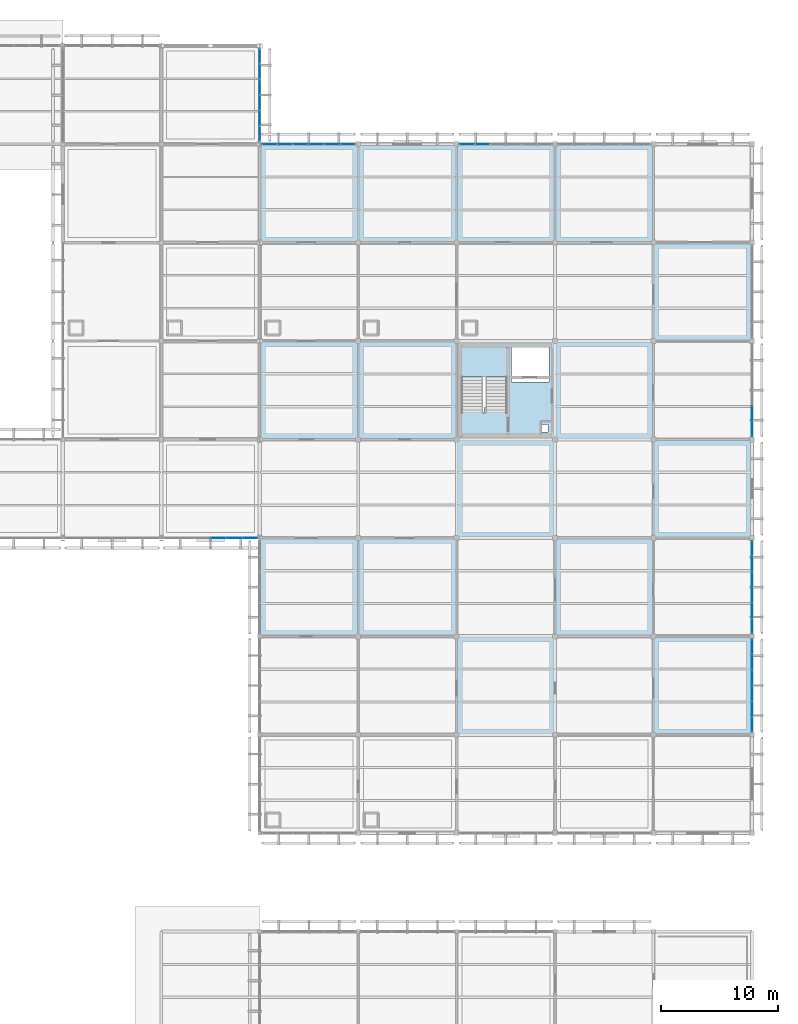
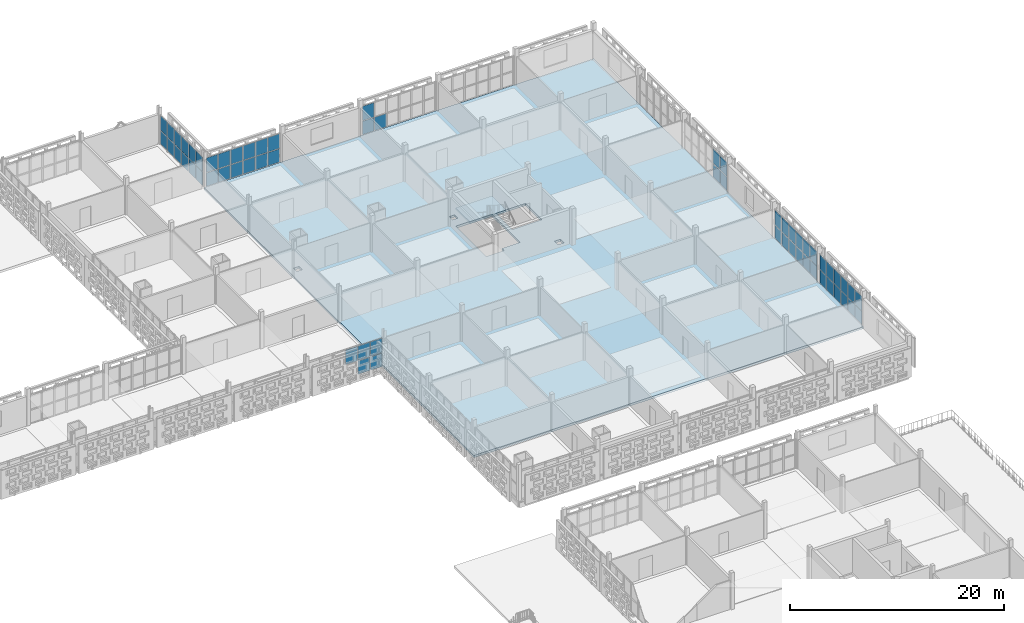
# One storey, part 92 of 166: 60 plates, 2 slabs, 8 elements without a shape of their own.
"""IFC4 building model written with IfcOpenShell, lengths in metres."""

import ifcopenshell
import ifcopenshell.guid

model = None  # the IFC model being written
_history = None  # IfcOwnerHistory: only IFC2X3 demands one
_inside = {}  # id of a spatial element -> (the spatial element, [elements in it])
_under = {}  # id of a project, library or spatial element -> (it, [spatial elements below it])
_declared = {}  # id of a project -> (the project, [libraries it declares])
_typed = {}  # id of a type object -> (the type object, [elements of that type])
_made_of = {}  # id of a material, layer set ... -> (it, [elements and type objects made of it])


def new_model(schema):
    """Start an empty IFC model of exactly this schema.

    Asked for "IFC4X3", IfcOpenShell would pick the latest addendum, in which some entities
    have other attributes; the version numbers below select the first issue.
    IFC2X3 requires an IfcOwnerHistory on every rooted entity: one is made here for all.
    """
    global model, _history
    if schema == "IFC4X3":
        model = ifcopenshell.file(schema_version=(4, 3, 0, 0))
    else:
        model = ifcopenshell.file(schema=schema)
    _inside.clear()
    _under.clear()
    _declared.clear()
    _typed.clear()
    _made_of.clear()
    _history = None
    if model.schema == "IFC2X3":
        org = make("IfcOrganization", Name="unknown")
        user = make(
            "IfcPersonAndOrganization",
            ThePerson=make("IfcPerson", FamilyName="unknown"),
            TheOrganization=org,
        )
        app = make(
            "IfcApplication",
            ApplicationDeveloper=org,
            Version="unknown",
            ApplicationFullName="unknown",
            ApplicationIdentifier="unknown",
        )
        _history = make(
            "IfcOwnerHistory",
            OwningUser=user,
            OwningApplication=app,
            ChangeAction="ADDED",
            CreationDate=0,
        )
    return model


def make(cls, **values):
    """One entity of the class cls with the attributes given. An attribute that is None is left unset."""
    return model.create_entity(
        cls, **{name: value for name, value in values.items() if value is not None}
    )


def rooted(cls, **values):
    """An entity with a GlobalId (a new one), such as an element, a storey or a relation."""
    return make(cls, GlobalId=ifcopenshell.guid.new(), OwnerHistory=_history, **values)


def si_unit(unit_type, name, prefix=None):
    """IfcSIUnit, for example si_unit("LENGTHUNIT", "METRE", prefix="MILLI")."""
    return make("IfcSIUnit", UnitType=unit_type, Prefix=prefix, Name=name)


def assignment(units):
    """IfcUnitAssignment: the units of a project."""
    return None if units is None else make("IfcUnitAssignment", Units=units)


def point(xyz):
    """IfcCartesianPoint."""
    return None if xyz is None else make("IfcCartesianPoint", Coordinates=xyz)


def direction(xyz):
    """IfcDirection."""
    return None if xyz is None else make("IfcDirection", DirectionRatios=xyz)


def frame(location, z_axis=None, x_axis=None):
    """IfcAxis2Placement3D, a coordinate frame: its origin and axes. An axis left out is left unset."""
    return make(
        "IfcAxis2Placement3D",
        Location=point(location),
        Axis=direction(z_axis),
        RefDirection=direction(x_axis),
    )


def frame_2d(location, x_axis=None):
    """IfcAxis2Placement2D, a coordinate frame in the plane: its origin and x axis."""
    return make(
        "IfcAxis2Placement2D", Location=point(location), RefDirection=direction(x_axis)
    )


def origin():
    """The frame at (0, 0, 0) with its axes left unset."""
    return frame((0.0, 0.0, 0.0))


def origin_2d():
    """The frame at (0, 0) in the plane with its x axis left unset."""
    return frame_2d((0.0, 0.0))


def place(relative_to, where):
    """IfcLocalPlacement: puts the frame where relative to a parent placement (None: the world)."""
    return make(
        "IfcLocalPlacement", PlacementRelTo=relative_to, RelativePlacement=where
    )


def context(
    kind, dimensions, precision=None, world=None, true_north=None, identifier=None
):
    """IfcGeometricRepresentationContext, for example the 3D "Model" context."""
    return make(
        "IfcGeometricRepresentationContext",
        ContextIdentifier=identifier,
        ContextType=kind,
        CoordinateSpaceDimension=dimensions,
        Precision=precision,
        WorldCoordinateSystem=world,
        TrueNorth=true_north,
    )


def subcontext(parent, identifier, kind, view, scale=None):
    """IfcGeometricRepresentationSubContext, for example "Body" below "Model"."""
    return make(
        "IfcGeometricRepresentationSubContext",
        ContextIdentifier=identifier,
        ContextType=kind,
        ParentContext=parent,
        TargetScale=scale,
        TargetView=view,
    )


def project(units=None, contexts=None):
    """IfcProject with its units and contexts."""
    return rooted(
        "IfcProject",
        Name="project",
        RepresentationContexts=contexts,
        UnitsInContext=assignment(units),
    )


def spatial(cls, under=None, at=None, **own):
    """A site, building, storey or space (cls), placed at a placement, below another one or the project."""
    s = rooted(cls, ObjectPlacement=at, **own)
    if under is not None:
        _under.setdefault(under.id(), (under, []))[1].append(s)
    return s


def polyline(points):
    """IfcPolyline through the points."""
    return make("IfcPolyline", Points=[point(p) for p in points])


def profile(cls, at=None, kind="AREA", **sizes):
    """A parametric profile (cls). Its sizes go by their IFC names, for example OverallWidth=200.0."""
    return make(cls, ProfileType=kind, Position=at, **sizes)


def rectangle(**sizes):
    """IfcRectangleProfileDef."""
    return profile("IfcRectangleProfileDef", **sizes)


def outline(outer, holes=None, kind="AREA"):
    """IfcArbitraryClosedProfileDef: a profile drawn as a closed curve; with holes, ...WithVoids."""
    if holes is None:
        return make("IfcArbitraryClosedProfileDef", ProfileType=kind, OuterCurve=outer)
    return make(
        "IfcArbitraryProfileDefWithVoids",
        ProfileType=kind,
        OuterCurve=outer,
        InnerCurves=holes,
    )


def extrude(swept, where, along, depth):
    """IfcExtrudedAreaSolid: the profile swept, set in the frame where, extruded along a direction by depth."""
    return make(
        "IfcExtrudedAreaSolid",
        SweptArea=swept,
        Position=where,
        ExtrudedDirection=direction(along),
        Depth=depth,
    )


def shape(context_of_items, identifier, shape_type, items):
    """IfcShapeRepresentation: the items that make up one representation, for example the "Body"."""
    return make(
        "IfcShapeRepresentation",
        ContextOfItems=context_of_items,
        RepresentationIdentifier=identifier,
        RepresentationType=shape_type,
        Items=items,
    )


def material(Name=None, Category=None):
    """IfcMaterial."""
    return make("IfcMaterial", Name=Name, Category=Category)


def layer(
    of_material, thickness, ventilated=None, Name=None, Category=None, Priority=None
):
    """IfcMaterialLayer: one layer of a wall or slab, of a material (None: an air gap)."""
    return make(
        "IfcMaterialLayer",
        Material=of_material,
        LayerThickness=thickness,
        IsVentilated=ventilated,
        Name=Name,
        Category=Category,
        Priority=Priority,
    )


def layer_set(layers, Name=None):
    """IfcMaterialLayerSet."""
    return make("IfcMaterialLayerSet", MaterialLayers=layers, LayerSetName=Name)


def made_of(thing, what):
    """Note that an element or type object is made of a material, layer set ...; save() writes the relation."""
    if what is not None:
        _made_of.setdefault(what.id(), (what, []))[1].append(thing)
    return thing


def type_object(cls, material=None, **own):
    """A type object (cls), such as IfcWallType, which elements share."""
    return made_of(rooted(cls, **own), material)


def element(
    cls,
    number,
    at=None,
    inside=None,
    cuts=None,
    type_object=None,
    material=None,
    context=None,
    identifier="Body",
    shape_type=None,
    held_by="IfcProductDefinitionShape",
    body=None,
    shapes=None,
    **own,
):
    """One element of the class cls, such as IfcWall. Its Tag is "e" and its number.

    at: its placement. inside: the storey or other place that contains it. cuts: it is an
    opening in that element (IfcRelVoidsElement). A single representation is given by context,
    identifier, shape_type and body (its items); several are given by shapes. held_by: the class
    of the entity that holds the representations. save() writes the other relations.
    """
    e = rooted(cls, Tag="e%d" % number, ObjectPlacement=at, **own)
    if body is not None:
        shapes = [shape(context, identifier, shape_type, body)]
    if shapes is not None:
        e.Representation = make(held_by, Representations=shapes)
    if inside is not None:
        _inside.setdefault(inside.id(), (inside, []))[1].append(e)
    if cuts is not None:
        rooted(
            "IfcRelVoidsElement", RelatingBuildingElement=cuts, RelatedOpeningElement=e
        )
    if type_object is not None:
        _typed.setdefault(type_object.id(), (type_object, []))[1].append(e)
    return made_of(e, material)


def aggregate(whole, parts):
    """IfcRelAggregates: a whole, such as a stair, and the parts it consists of."""
    return rooted("IfcRelAggregates", RelatingObject=whole, RelatedObjects=parts)


def save(model, path):
    """Write the relations noted so far, then the file.

    IfcRelAggregates (storeys below a building ...), IfcRelContainedInSpatialStructure (elements
    in a storey), IfcRelDefinesByType, IfcRelAssociatesMaterial and IfcRelDeclares: one each for
    every whole, place, type object, material and project.
    """
    for whole, parts in _under.values():
        aggregate(whole, parts)
    for where, things in _inside.values():
        rooted(
            "IfcRelContainedInSpatialStructure",
            RelatedElements=things,
            RelatingStructure=where,
        )
    for kind, things in _typed.values():
        rooted("IfcRelDefinesByType", RelatedObjects=things, RelatingType=kind)
    for what, things in _made_of.values():
        rooted("IfcRelAssociatesMaterial", RelatedObjects=things, RelatingMaterial=what)
    for by, libraries in _declared.values():
        rooted("IfcRelDeclares", RelatingContext=by, RelatedDefinitions=libraries)
    model.write(path)


model = new_model("IFC4")

# Units and contexts
model_context = context("Model", 3, precision=1e-05, world=origin(), true_north=direction((0.0, 1.0)))
body_context = subcontext(model_context, "Body", "Model", "MODEL_VIEW")
ifc_project = project(units=[si_unit("LENGTHUNIT", "METRE"), si_unit("AREAUNIT", "SQUARE_METRE"), si_unit("VOLUMEUNIT", "CUBIC_METRE"), si_unit("PLANEANGLEUNIT", "RADIAN"), si_unit("MASSUNIT", "GRAM", prefix="KILO")], contexts=[model_context])

# Site, building, storey
site_placement = place(None, origin())
site = spatial("IfcSite", under=ifc_project, at=site_placement, CompositionType="ELEMENT")
building_placement = place(site_placement, origin())
building = spatial("IfcBuilding", under=site, at=building_placement, Name="Varnapada Polytechnic", CompositionType="ELEMENT")
storey_placement = place(building_placement, frame((0.0, 0.0, 9.60009765625)))
storey = spatial("IfcBuildingStorey", under=building, at=storey_placement, Name="L02", CompositionType="ELEMENT", Elevation=9.60009765625)

# Curtain wall, plates
ifc_material_1 = material(Name="Double low-E laminated glass", Category="glass")
ifc_layer_1 = layer(ifc_material_1, 0.159912109375)
ifc_layer_set_1 = layer_set([ifc_layer_1], Name="Double low-E laminated glass")
curtain_wall_type_1 = type_object("IfcCurtainWallType", Name="Curtain Wall CW-01", PredefinedType="NOTDEFINED", material=ifc_layer_set_1)
curtain_wall_1_placement = place(storey_placement, origin())
curtain_wall_1 = element("IfcCurtainWall", 1, at=curtain_wall_1_placement, inside=storey, type_object=curtain_wall_type_1, Name="L02 unitised curtain wall CW-01 (180)", PredefinedType="NOTDEFINED")
ifc_layer_2 = layer(ifc_material_1, 0.028076171875)
ifc_layer_set_2 = layer_set([ifc_layer_2], Name="Double low-E laminated glass")
plate_type_1 = type_object("IfcPlateType", Name="Curtain Panel PNL-01", PredefinedType="CURTAIN_PANEL", material=ifc_layer_set_2)
plate_1_placement = place(storey_placement, frame((133.56005859375, 84.0, 0.06005859375), z_axis=(0.0, 0.0, 1.0), x_axis=(-1.0, 0.0, 0.0)))
plate_1 = element("IfcPlate", 2, at=plate_1_placement, type_object=plate_type_1, Name="CW-01 panel 1.1", PredefinedType="CURTAIN_PANEL", context=body_context, shape_type="SweptSolid", body=[
    extrude(rectangle(XDim=1.260009765625, YDim=0.028076171875, at=origin_2d()), origin(), (0.0, 0.0, 1.0), 1.522705078125),
])
plate_2_placement = place(storey_placement, frame((133.56005859375, 84.0, 1.642578125), z_axis=(0.0, 0.0, 1.0), x_axis=(-1.0, 0.0, 0.0)))
plate_2 = element("IfcPlate", 3, at=plate_2_placement, type_object=plate_type_1, Name="CW-01 panel 1.2", PredefinedType="CURTAIN_PANEL", context=body_context, shape_type="SweptSolid", body=[
    extrude(rectangle(XDim=1.260009765625, YDim=0.028076171875, at=origin_2d()), origin(), (0.0, 0.0, 1.0), 1.6572265625),
])
plate_3_placement = place(storey_placement, frame((132.22509765625, 84.0, 0.06005859375), z_axis=(0.0, 0.0, 1.0), x_axis=(-1.0, 0.0, 0.0)))
plate_3 = element("IfcPlate", 4, at=plate_3_placement, type_object=plate_type_1, Name="CW-01 panel 2.1", PredefinedType="CURTAIN_PANEL", context=body_context, shape_type="SweptSolid", body=[
    extrude(rectangle(XDim=1.2900390625, YDim=0.028076171875, at=origin_2d()), origin(), (0.0, 0.0, 1.0), 1.522705078125),
])
plate_4_placement = place(storey_placement, frame((132.22509765625, 84.0, 1.642578125), z_axis=(0.0, 0.0, 1.0), x_axis=(-1.0, 0.0, 0.0)))
plate_4 = element("IfcPlate", 5, at=plate_4_placement, type_object=plate_type_1, Name="CW-01 panel 2.2", PredefinedType="CURTAIN_PANEL", context=body_context, shape_type="SweptSolid", body=[
    extrude(rectangle(XDim=1.2900390625, YDim=0.028076171875, at=origin_2d()), origin(), (0.0, 0.0, 1.0), 1.6572265625),
])
plate_5_placement = place(storey_placement, frame((130.875, 84.0, 1.642578125), z_axis=(0.0, 0.0, 1.0), x_axis=(-1.0, 0.0, 0.0)))
plate_5 = element("IfcPlate", 6, at=plate_5_placement, type_object=plate_type_1, Name="CW-01 panel 3.2", PredefinedType="CURTAIN_PANEL", context=body_context, shape_type="SweptSolid", body=[
    extrude(rectangle(XDim=1.2900390625, YDim=0.028076171875, at=origin_2d()), origin(), (0.0, 0.0, 1.0), 1.6572265625),
])
aggregate(curtain_wall_1, [plate_1, plate_2, plate_3, plate_4, plate_5])

ifc_layer_3 = layer(ifc_material_1, 0.159912109375)
ifc_layer_set_3 = layer_set([ifc_layer_3], Name="Double low-E laminated glass")
curtain_wall_type_2 = type_object("IfcCurtainWallType", Name="Curtain Wall CW-02", PredefinedType="NOTDEFINED", material=ifc_layer_set_3)
curtain_wall_2_placement = place(storey_placement, origin())
curtain_wall_2 = element("IfcCurtainWall", 7, at=curtain_wall_2_placement, inside=storey, type_object=curtain_wall_type_2, Name="L02 unitised curtain wall CW-02 (181)", PredefinedType="NOTDEFINED")
plate_6_placement = place(storey_placement, frame((134.39990234375, 125.10205078125, 0.06005859375), z_axis=(0.0, 0.0, 1.0), x_axis=(0.0, -1.0, 0.0)))
plate_6 = element("IfcPlate", 8, at=plate_6_placement, type_object=plate_type_1, Name="CW-02 panel 1.1", PredefinedType="CURTAIN_PANEL", context=body_context, shape_type="SweptSolid", body=[
    extrude(rectangle(XDim=1.23583984375, YDim=0.028076171875, at=origin_2d()), origin(), (0.0, 0.0, 1.0), 1.522705078125),
])
plate_7_placement = place(storey_placement, frame((134.39990234375, 125.10205078125, 1.642578125), z_axis=(0.0, 0.0, 1.0), x_axis=(0.0, -1.0, 0.0)))
plate_7 = element("IfcPlate", 9, at=plate_7_placement, type_object=plate_type_1, Name="CW-02 panel 1.2", PredefinedType="CURTAIN_PANEL", context=body_context, shape_type="SweptSolid", body=[
    extrude(rectangle(XDim=1.23583984375, YDim=0.028076171875, at=origin_2d()), origin(), (0.0, 0.0, 1.0), 1.6572265625),
])
plate_8_placement = place(storey_placement, frame((134.39990234375, 123.791259765625, 0.06005859375), z_axis=(0.0, 0.0, 1.0), x_axis=(0.0, -1.0, 0.0)))
plate_8 = element("IfcPlate", 10, at=plate_8_placement, type_object=plate_type_1, Name="CW-02 panel 2.1", PredefinedType="CURTAIN_PANEL", context=body_context, shape_type="SweptSolid", body=[
    extrude(rectangle(XDim=1.265869140625, YDim=0.028076171875, at=origin_2d()), origin(), (0.0, 0.0, 1.0), 1.522705078125),
])
plate_9_placement = place(storey_placement, frame((134.39990234375, 123.791259765625, 1.642578125), z_axis=(0.0, 0.0, 1.0), x_axis=(0.0, -1.0, 0.0)))
plate_9 = element("IfcPlate", 11, at=plate_9_placement, type_object=plate_type_1, Name="CW-02 panel 2.2", PredefinedType="CURTAIN_PANEL", context=body_context, shape_type="SweptSolid", body=[
    extrude(rectangle(XDim=1.265869140625, YDim=0.028076171875, at=origin_2d()), origin(), (0.0, 0.0, 1.0), 1.6572265625),
])
plate_10_placement = place(storey_placement, frame((134.39990234375, 122.46533203125, 0.06005859375), z_axis=(0.0, 0.0, 1.0), x_axis=(0.0, -1.0, 0.0)))
plate_10 = element("IfcPlate", 12, at=plate_10_placement, type_object=plate_type_1, Name="CW-02 panel 3.1", PredefinedType="CURTAIN_PANEL", context=body_context, shape_type="SweptSolid", body=[
    extrude(rectangle(XDim=1.265869140625, YDim=0.028076171875, at=origin_2d()), origin(), (0.0, 0.0, 1.0), 1.522705078125),
])
plate_11_placement = place(storey_placement, frame((134.39990234375, 122.46533203125, 1.642578125), z_axis=(0.0, 0.0, 1.0), x_axis=(0.0, -1.0, 0.0)))
plate_11 = element("IfcPlate", 13, at=plate_11_placement, type_object=plate_type_1, Name="CW-02 panel 3.2", PredefinedType="CURTAIN_PANEL", context=body_context, shape_type="SweptSolid", body=[
    extrude(rectangle(XDim=1.265869140625, YDim=0.028076171875, at=origin_2d()), origin(), (0.0, 0.0, 1.0), 1.6572265625),
])
plate_12_placement = place(storey_placement, frame((134.39990234375, 121.1396484375, 0.06005859375), z_axis=(0.0, 0.0, 1.0), x_axis=(0.0, -1.0, 0.0)))
plate_12 = element("IfcPlate", 14, at=plate_12_placement, type_object=plate_type_1, Name="CW-02 panel 4.1", PredefinedType="CURTAIN_PANEL", context=body_context, shape_type="SweptSolid", body=[
    extrude(rectangle(XDim=1.265869140625, YDim=0.028076171875, at=origin_2d()), origin(), (0.0, 0.0, 1.0), 1.522705078125),
])
plate_13_placement = place(storey_placement, frame((134.39990234375, 121.1396484375, 1.642578125), z_axis=(0.0, 0.0, 1.0), x_axis=(0.0, -1.0, 0.0)))
plate_13 = element("IfcPlate", 15, at=plate_13_placement, type_object=plate_type_1, Name="CW-02 panel 4.2", PredefinedType="CURTAIN_PANEL", context=body_context, shape_type="SweptSolid", body=[
    extrude(rectangle(XDim=1.265869140625, YDim=0.028076171875, at=origin_2d()), origin(), (0.0, 0.0, 1.0), 1.6572265625),
])
plate_14_placement = place(storey_placement, frame((134.39990234375, 119.813720703125, 0.06005859375), z_axis=(0.0, 0.0, 1.0), x_axis=(0.0, -1.0, 0.0)))
plate_14 = element("IfcPlate", 16, at=plate_14_placement, type_object=plate_type_1, Name="CW-02 panel 5.1", PredefinedType="CURTAIN_PANEL", context=body_context, shape_type="SweptSolid", body=[
    extrude(rectangle(XDim=1.265869140625, YDim=0.028076171875, at=origin_2d()), origin(), (0.0, 0.0, 1.0), 1.522705078125),
])
plate_15_placement = place(storey_placement, frame((134.39990234375, 119.813720703125, 1.642578125), z_axis=(0.0, 0.0, 1.0), x_axis=(0.0, -1.0, 0.0)))
plate_15 = element("IfcPlate", 17, at=plate_15_placement, type_object=plate_type_1, Name="CW-02 panel 5.2", PredefinedType="CURTAIN_PANEL", context=body_context, shape_type="SweptSolid", body=[
    extrude(rectangle(XDim=1.265869140625, YDim=0.028076171875, at=origin_2d()), origin(), (0.0, 0.0, 1.0), 1.6572265625),
])
plate_16_placement = place(storey_placement, frame((134.39990234375, 118.5029296875, 0.06005859375), z_axis=(0.0, 0.0, 1.0), x_axis=(0.0, -1.0, 0.0)))
plate_16 = element("IfcPlate", 18, at=plate_16_placement, type_object=plate_type_1, Name="CW-02 panel 6.1", PredefinedType="CURTAIN_PANEL", context=body_context, shape_type="SweptSolid", body=[
    extrude(rectangle(XDim=1.23583984375, YDim=0.028076171875, at=origin_2d()), origin(), (0.0, 0.0, 1.0), 1.522705078125),
])
plate_17_placement = place(storey_placement, frame((134.39990234375, 118.5029296875, 1.642578125), z_axis=(0.0, 0.0, 1.0), x_axis=(0.0, -1.0, 0.0)))
plate_17 = element("IfcPlate", 19, at=plate_17_placement, type_object=plate_type_1, Name="CW-02 panel 6.2", PredefinedType="CURTAIN_PANEL", context=body_context, shape_type="SweptSolid", body=[
    extrude(rectangle(XDim=1.23583984375, YDim=0.028076171875, at=origin_2d()), origin(), (0.0, 0.0, 1.0), 1.6572265625),
])
aggregate(curtain_wall_2, [plate_6, plate_7, plate_8, plate_9, plate_10, plate_11, plate_12, plate_13, plate_14, plate_15, plate_16, plate_17])

ifc_layer_4 = layer(ifc_material_1, 0.179931640625)
ifc_layer_set_4 = layer_set([ifc_layer_4], Name="Double low-E laminated glass")
curtain_wall_type_3 = type_object("IfcCurtainWallType", Name="Curtain Wall CW-04", PredefinedType="NOTDEFINED", material=ifc_layer_set_4)
curtain_wall_3_placement = place(storey_placement, origin())
curtain_wall_3 = element("IfcCurtainWall", 20, at=curtain_wall_3_placement, inside=storey, type_object=curtain_wall_type_3, Name="L02 unitised curtain wall CW-04 (192)", PredefinedType="NOTDEFINED")
ifc_layer_5 = layer(ifc_material_1, 0.031982421875)
ifc_layer_set_5 = layer_set([ifc_layer_5], Name="Double low-E laminated glass")
plate_type_2 = type_object("IfcPlateType", Name="Curtain Panel PNL-02", PredefinedType="CURTAIN_PANEL", material=ifc_layer_set_5)
plate_18_placement = place(storey_placement, frame((135.236328125, 117.60009765625, 0.06494140625), z_axis=(0.0, 0.0, 1.0), x_axis=(1.0, 0.0, 0.0)))
plate_18 = element("IfcPlate", 21, at=plate_18_placement, type_object=plate_type_2, Name="CW-04 panel 1.1", PredefinedType="CURTAIN_PANEL", context=body_context, shape_type="SweptSolid", body=[
    extrude(rectangle(XDim=1.242431640625, YDim=0.031982421875, at=origin_2d()), origin(), (0.0, 0.0, 1.0), 1.515380859375),
])
plate_19_placement = place(storey_placement, frame((135.236328125, 117.60009765625, 1.64501953125), z_axis=(0.0, 0.0, 1.0), x_axis=(1.0, 0.0, 0.0)))
plate_19 = element("IfcPlate", 22, at=plate_19_placement, type_object=plate_type_2, Name="CW-04 panel 1.2", PredefinedType="CURTAIN_PANEL", context=body_context, shape_type="SweptSolid", body=[
    extrude(rectangle(XDim=1.242431640625, YDim=0.031982421875, at=origin_2d()), origin(), (0.0, 0.0, 1.0), 1.649658203125),
])
plate_20_placement = place(storey_placement, frame((136.56005859375, 117.60009765625, 0.06494140625), z_axis=(0.0, 0.0, 1.0), x_axis=(1.0, 0.0, 0.0)))
plate_20 = element("IfcPlate", 23, at=plate_20_placement, type_object=plate_type_2, Name="CW-04 panel 2.1", PredefinedType="CURTAIN_PANEL", context=body_context, shape_type="SweptSolid", body=[
    extrude(rectangle(XDim=1.27490234375, YDim=0.031982421875, at=origin_2d()), origin(), (0.0, 0.0, 1.0), 1.515380859375),
])
plate_21_placement = place(storey_placement, frame((136.56005859375, 117.60009765625, 1.64501953125), z_axis=(0.0, 0.0, 1.0), x_axis=(1.0, 0.0, 0.0)))
plate_21 = element("IfcPlate", 24, at=plate_21_placement, type_object=plate_type_2, Name="CW-04 panel 2.2", PredefinedType="CURTAIN_PANEL", context=body_context, shape_type="SweptSolid", body=[
    extrude(rectangle(XDim=1.27490234375, YDim=0.031982421875, at=origin_2d()), origin(), (0.0, 0.0, 1.0), 1.649658203125),
])
plate_22_placement = place(storey_placement, frame((137.89990234375, 117.60009765625, 0.06494140625), z_axis=(0.0, 0.0, 1.0), x_axis=(1.0, 0.0, 0.0)))
plate_22 = element("IfcPlate", 25, at=plate_22_placement, type_object=plate_type_2, Name="CW-04 panel 3.1", PredefinedType="CURTAIN_PANEL", context=body_context, shape_type="SweptSolid", body=[
    extrude(rectangle(XDim=1.27490234375, YDim=0.031982421875, at=origin_2d()), origin(), (0.0, 0.0, 1.0), 1.515380859375),
])
plate_23_placement = place(storey_placement, frame((137.89990234375, 117.60009765625, 1.64501953125), z_axis=(0.0, 0.0, 1.0), x_axis=(1.0, 0.0, 0.0)))
plate_23 = element("IfcPlate", 26, at=plate_23_placement, type_object=plate_type_2, Name="CW-04 panel 3.2", PredefinedType="CURTAIN_PANEL", context=body_context, shape_type="SweptSolid", body=[
    extrude(rectangle(XDim=1.27490234375, YDim=0.031982421875, at=origin_2d()), origin(), (0.0, 0.0, 1.0), 1.649658203125),
])
plate_24_placement = place(storey_placement, frame((139.239990234375, 117.60009765625, 0.06494140625), z_axis=(0.0, 0.0, 1.0), x_axis=(1.0, 0.0, 0.0)))
plate_24 = element("IfcPlate", 27, at=plate_24_placement, type_object=plate_type_2, Name="CW-04 panel 4.1", PredefinedType="CURTAIN_PANEL", context=body_context, shape_type="SweptSolid", body=[
    extrude(rectangle(XDim=1.27490234375, YDim=0.031982421875, at=origin_2d()), origin(), (0.0, 0.0, 1.0), 1.515380859375),
])
plate_25_placement = place(storey_placement, frame((139.239990234375, 117.60009765625, 1.64501953125), z_axis=(0.0, 0.0, 1.0), x_axis=(1.0, 0.0, 0.0)))
plate_25 = element("IfcPlate", 28, at=plate_25_placement, type_object=plate_type_2, Name="CW-04 panel 4.2", PredefinedType="CURTAIN_PANEL", context=body_context, shape_type="SweptSolid", body=[
    extrude(rectangle(XDim=1.27490234375, YDim=0.031982421875, at=origin_2d()), origin(), (0.0, 0.0, 1.0), 1.649658203125),
])
plate_26_placement = place(storey_placement, frame((140.580078125, 117.60009765625, 0.06494140625), z_axis=(0.0, 0.0, 1.0), x_axis=(1.0, 0.0, 0.0)))
plate_26 = element("IfcPlate", 29, at=plate_26_placement, type_object=plate_type_2, Name="CW-04 panel 5.1", PredefinedType="CURTAIN_PANEL", context=body_context, shape_type="SweptSolid", body=[
    extrude(rectangle(XDim=1.27490234375, YDim=0.031982421875, at=origin_2d()), origin(), (0.0, 0.0, 1.0), 1.515380859375),
])
plate_27_placement = place(storey_placement, frame((140.580078125, 117.60009765625, 1.64501953125), z_axis=(0.0, 0.0, 1.0), x_axis=(1.0, 0.0, 0.0)))
plate_27 = element("IfcPlate", 30, at=plate_27_placement, type_object=plate_type_2, Name="CW-04 panel 5.2", PredefinedType="CURTAIN_PANEL", context=body_context, shape_type="SweptSolid", body=[
    extrude(rectangle(XDim=1.27490234375, YDim=0.031982421875, at=origin_2d()), origin(), (0.0, 0.0, 1.0), 1.649658203125),
])
plate_28_placement = place(storey_placement, frame((141.90380859375, 117.60009765625, 0.06494140625), z_axis=(0.0, 0.0, 1.0), x_axis=(1.0, 0.0, 0.0)))
plate_28 = element("IfcPlate", 31, at=plate_28_placement, type_object=plate_type_2, Name="CW-04 panel 6.1", PredefinedType="CURTAIN_PANEL", context=body_context, shape_type="SweptSolid", body=[
    extrude(rectangle(XDim=1.242431640625, YDim=0.031982421875, at=origin_2d()), origin(), (0.0, 0.0, 1.0), 1.515380859375),
])
plate_29_placement = place(storey_placement, frame((141.90380859375, 117.60009765625, 1.64501953125), z_axis=(0.0, 0.0, 1.0), x_axis=(1.0, 0.0, 0.0)))
plate_29 = element("IfcPlate", 32, at=plate_29_placement, type_object=plate_type_2, Name="CW-04 panel 6.2", PredefinedType="CURTAIN_PANEL", context=body_context, shape_type="SweptSolid", body=[
    extrude(rectangle(XDim=1.242431640625, YDim=0.031982421875, at=origin_2d()), origin(), (0.0, 0.0, 1.0), 1.649658203125),
])
aggregate(curtain_wall_3, [plate_18, plate_19, plate_20, plate_21, plate_22, plate_23, plate_24, plate_25, plate_26, plate_27, plate_28, plate_29])

curtain_wall_4_placement = place(storey_placement, origin())
curtain_wall_4 = element("IfcCurtainWall", 33, at=curtain_wall_4_placement, inside=storey, type_object=curtain_wall_type_3, Name="L02 unitised curtain wall CW-04 (197)", PredefinedType="NOTDEFINED")
plate_30_placement = place(storey_placement, frame((152.09130859375, 117.60009765625, 0.06494140625), z_axis=(0.0, 0.0, 1.0), x_axis=(1.0, 0.0, 0.0)))
plate_30 = element("IfcPlate", 34, at=plate_30_placement, type_object=plate_type_2, Name="CW-04 panel 1.1", PredefinedType="CURTAIN_PANEL", context=body_context, shape_type="SweptSolid", body=[
    extrude(rectangle(XDim=1.232421875, YDim=0.031982421875, at=origin_2d()), origin(), (0.0, 0.0, 1.0), 1.515380859375),
])
plate_31_placement = place(storey_placement, frame((152.09130859375, 117.60009765625, 1.64501953125), z_axis=(0.0, 0.0, 1.0), x_axis=(1.0, 0.0, 0.0)))
plate_31 = element("IfcPlate", 35, at=plate_31_placement, type_object=plate_type_2, Name="CW-04 panel 1.2", PredefinedType="CURTAIN_PANEL", context=body_context, shape_type="SweptSolid", body=[
    extrude(rectangle(XDim=1.232421875, YDim=0.031982421875, at=origin_2d()), origin(), (0.0, 0.0, 1.0), 1.649658203125),
])
plate_32_placement = place(storey_placement, frame((153.405029296875, 117.60009765625, 0.06494140625), z_axis=(0.0, 0.0, 1.0), x_axis=(1.0, 0.0, 0.0)))
plate_32 = element("IfcPlate", 36, at=plate_32_placement, type_object=plate_type_2, Name="CW-04 panel 2.1", PredefinedType="CURTAIN_PANEL", context=body_context, shape_type="SweptSolid", body=[
    extrude(rectangle(XDim=1.264892578125, YDim=0.031982421875, at=origin_2d()), origin(), (0.0, 0.0, 1.0), 1.515380859375),
])
aggregate(curtain_wall_4, [plate_30, plate_31, plate_32])

curtain_wall_5_placement = place(storey_placement, origin())
curtain_wall_5 = element("IfcCurtainWall", 37, at=curtain_wall_5_placement, inside=storey, type_object=curtain_wall_type_3, Name="L02 unitised curtain wall CW-04 (201)", PredefinedType="NOTDEFINED")
plate_33_placement = place(storey_placement, frame((176.39990234375, 74.708740234375, 0.06494140625), z_axis=(0.0, 0.0, 1.0), x_axis=(0.0, -1.0, 0.0)))
plate_33 = element("IfcPlate", 38, at=plate_33_placement, type_object=plate_type_2, Name="CW-04 panel 1.1", PredefinedType="CURTAIN_PANEL", context=body_context, shape_type="SweptSolid", body=[
    extrude(rectangle(XDim=1.232421875, YDim=0.031982421875, at=origin_2d()), origin(), (0.0, 0.0, 1.0), 1.515380859375),
])
plate_34_placement = place(storey_placement, frame((176.39990234375, 74.708740234375, 1.64501953125), z_axis=(0.0, 0.0, 1.0), x_axis=(0.0, -1.0, 0.0)))
plate_34 = element("IfcPlate", 39, at=plate_34_placement, type_object=plate_type_2, Name="CW-04 panel 1.2", PredefinedType="CURTAIN_PANEL", context=body_context, shape_type="SweptSolid", body=[
    extrude(rectangle(XDim=1.232421875, YDim=0.031982421875, at=origin_2d()), origin(), (0.0, 0.0, 1.0), 1.649658203125),
])
plate_35_placement = place(storey_placement, frame((176.39990234375, 73.39501953125, 0.06494140625), z_axis=(0.0, 0.0, 1.0), x_axis=(0.0, -1.0, 0.0)))
plate_35 = element("IfcPlate", 40, at=plate_35_placement, type_object=plate_type_2, Name="CW-04 panel 2.1", PredefinedType="CURTAIN_PANEL", context=body_context, shape_type="SweptSolid", body=[
    extrude(rectangle(XDim=1.264892578125, YDim=0.031982421875, at=origin_2d()), origin(), (0.0, 0.0, 1.0), 1.515380859375),
])
plate_36_placement = place(storey_placement, frame((176.39990234375, 73.39501953125, 1.64501953125), z_axis=(0.0, 0.0, 1.0), x_axis=(0.0, -1.0, 0.0)))
plate_36 = element("IfcPlate", 41, at=plate_36_placement, type_object=plate_type_2, Name="CW-04 panel 2.2", PredefinedType="CURTAIN_PANEL", context=body_context, shape_type="SweptSolid", body=[
    extrude(rectangle(XDim=1.264892578125, YDim=0.031982421875, at=origin_2d()), origin(), (0.0, 0.0, 1.0), 1.649658203125),
])
plate_37_placement = place(storey_placement, frame((176.39990234375, 72.06494140625, 0.06494140625), z_axis=(0.0, 0.0, 1.0), x_axis=(0.0, -1.0, 0.0)))
plate_37 = element("IfcPlate", 42, at=plate_37_placement, type_object=plate_type_2, Name="CW-04 panel 3.1", PredefinedType="CURTAIN_PANEL", context=body_context, shape_type="SweptSolid", body=[
    extrude(rectangle(XDim=1.264892578125, YDim=0.031982421875, at=origin_2d()), origin(), (0.0, 0.0, 1.0), 1.515380859375),
])
plate_38_placement = place(storey_placement, frame((176.39990234375, 72.06494140625, 1.64501953125), z_axis=(0.0, 0.0, 1.0), x_axis=(0.0, -1.0, 0.0)))
plate_38 = element("IfcPlate", 43, at=plate_38_placement, type_object=plate_type_2, Name="CW-04 panel 3.2", PredefinedType="CURTAIN_PANEL", context=body_context, shape_type="SweptSolid", body=[
    extrude(rectangle(XDim=1.264892578125, YDim=0.031982421875, at=origin_2d()), origin(), (0.0, 0.0, 1.0), 1.649658203125),
])
plate_39_placement = place(storey_placement, frame((176.39990234375, 70.735107421875, 0.06494140625), z_axis=(0.0, 0.0, 1.0), x_axis=(0.0, -1.0, 0.0)))
plate_39 = element("IfcPlate", 44, at=plate_39_placement, type_object=plate_type_2, Name="CW-04 panel 4.1", PredefinedType="CURTAIN_PANEL", context=body_context, shape_type="SweptSolid", body=[
    extrude(rectangle(XDim=1.264892578125, YDim=0.031982421875, at=origin_2d()), origin(), (0.0, 0.0, 1.0), 1.515380859375),
])
plate_40_placement = place(storey_placement, frame((176.39990234375, 70.735107421875, 1.64501953125), z_axis=(0.0, 0.0, 1.0), x_axis=(0.0, -1.0, 0.0)))
plate_40 = element("IfcPlate", 45, at=plate_40_placement, type_object=plate_type_2, Name="CW-04 panel 4.2", PredefinedType="CURTAIN_PANEL", context=body_context, shape_type="SweptSolid", body=[
    extrude(rectangle(XDim=1.264892578125, YDim=0.031982421875, at=origin_2d()), origin(), (0.0, 0.0, 1.0), 1.649658203125),
])
plate_41_placement = place(storey_placement, frame((176.39990234375, 69.405029296875, 0.06494140625), z_axis=(0.0, 0.0, 1.0), x_axis=(0.0, -1.0, 0.0)))
plate_41 = element("IfcPlate", 46, at=plate_41_placement, type_object=plate_type_2, Name="CW-04 panel 5.1", PredefinedType="CURTAIN_PANEL", context=body_context, shape_type="SweptSolid", body=[
    extrude(rectangle(XDim=1.264892578125, YDim=0.031982421875, at=origin_2d()), origin(), (0.0, 0.0, 1.0), 1.515380859375),
])
plate_42_placement = place(storey_placement, frame((176.39990234375, 69.405029296875, 1.64501953125), z_axis=(0.0, 0.0, 1.0), x_axis=(0.0, -1.0, 0.0)))
plate_42 = element("IfcPlate", 47, at=plate_42_placement, type_object=plate_type_2, Name="CW-04 panel 5.2", PredefinedType="CURTAIN_PANEL", context=body_context, shape_type="SweptSolid", body=[
    extrude(rectangle(XDim=1.264892578125, YDim=0.031982421875, at=origin_2d()), origin(), (0.0, 0.0, 1.0), 1.649658203125),
])
plate_43_placement = place(storey_placement, frame((176.39990234375, 68.09130859375, 0.06494140625), z_axis=(0.0, 0.0, 1.0), x_axis=(0.0, -1.0, 0.0)))
plate_43 = element("IfcPlate", 48, at=plate_43_placement, type_object=plate_type_2, Name="CW-04 panel 6.1", PredefinedType="CURTAIN_PANEL", context=body_context, shape_type="SweptSolid", body=[
    extrude(rectangle(XDim=1.232421875, YDim=0.031982421875, at=origin_2d()), origin(), (0.0, 0.0, 1.0), 1.515380859375),
])
plate_44_placement = place(storey_placement, frame((176.39990234375, 68.09130859375, 1.64501953125), z_axis=(0.0, 0.0, 1.0), x_axis=(0.0, -1.0, 0.0)))
plate_44 = element("IfcPlate", 49, at=plate_44_placement, type_object=plate_type_2, Name="CW-04 panel 6.2", PredefinedType="CURTAIN_PANEL", context=body_context, shape_type="SweptSolid", body=[
    extrude(rectangle(XDim=1.232421875, YDim=0.031982421875, at=origin_2d()), origin(), (0.0, 0.0, 1.0), 1.649658203125),
])
aggregate(curtain_wall_5, [plate_33, plate_34, plate_35, plate_36, plate_37, plate_38, plate_39, plate_40, plate_41, plate_42, plate_43, plate_44])

curtain_wall_6_placement = place(storey_placement, origin())
curtain_wall_6 = element("IfcCurtainWall", 50, at=curtain_wall_6_placement, inside=storey, type_object=curtain_wall_type_3, Name="L02 unitised curtain wall CW-04 (202)", PredefinedType="NOTDEFINED")
plate_45_placement = place(storey_placement, frame((176.39990234375, 83.108642578125, 0.06494140625), z_axis=(0.0, 0.0, 1.0), x_axis=(0.0, -1.0, 0.0)))
plate_45 = element("IfcPlate", 51, at=plate_45_placement, type_object=plate_type_2, Name="CW-04 panel 1.1", PredefinedType="CURTAIN_PANEL", context=body_context, shape_type="SweptSolid", body=[
    extrude(rectangle(XDim=1.232421875, YDim=0.031982421875, at=origin_2d()), origin(), (0.0, 0.0, 1.0), 1.515380859375),
])
plate_46_placement = place(storey_placement, frame((176.39990234375, 83.108642578125, 1.64501953125), z_axis=(0.0, 0.0, 1.0), x_axis=(0.0, -1.0, 0.0)))
plate_46 = element("IfcPlate", 52, at=plate_46_placement, type_object=plate_type_2, Name="CW-04 panel 1.2", PredefinedType="CURTAIN_PANEL", context=body_context, shape_type="SweptSolid", body=[
    extrude(rectangle(XDim=1.232421875, YDim=0.031982421875, at=origin_2d()), origin(), (0.0, 0.0, 1.0), 1.649658203125),
])
plate_47_placement = place(storey_placement, frame((176.39990234375, 81.794921875, 0.06494140625), z_axis=(0.0, 0.0, 1.0), x_axis=(0.0, -1.0, 0.0)))
plate_47 = element("IfcPlate", 53, at=plate_47_placement, type_object=plate_type_2, Name="CW-04 panel 2.1", PredefinedType="CURTAIN_PANEL", context=body_context, shape_type="SweptSolid", body=[
    extrude(rectangle(XDim=1.264892578125, YDim=0.031982421875, at=origin_2d()), origin(), (0.0, 0.0, 1.0), 1.515380859375),
])
plate_48_placement = place(storey_placement, frame((176.39990234375, 81.794921875, 1.64501953125), z_axis=(0.0, 0.0, 1.0), x_axis=(0.0, -1.0, 0.0)))
plate_48 = element("IfcPlate", 54, at=plate_48_placement, type_object=plate_type_2, Name="CW-04 panel 2.2", PredefinedType="CURTAIN_PANEL", context=body_context, shape_type="SweptSolid", body=[
    extrude(rectangle(XDim=1.264892578125, YDim=0.031982421875, at=origin_2d()), origin(), (0.0, 0.0, 1.0), 1.649658203125),
])
plate_49_placement = place(storey_placement, frame((176.39990234375, 80.465087890625, 0.06494140625), z_axis=(0.0, 0.0, 1.0), x_axis=(0.0, -1.0, 0.0)))
plate_49 = element("IfcPlate", 55, at=plate_49_placement, type_object=plate_type_2, Name="CW-04 panel 3.1", PredefinedType="CURTAIN_PANEL", context=body_context, shape_type="SweptSolid", body=[
    extrude(rectangle(XDim=1.264892578125, YDim=0.031982421875, at=origin_2d()), origin(), (0.0, 0.0, 1.0), 1.515380859375),
])
plate_50_placement = place(storey_placement, frame((176.39990234375, 80.465087890625, 1.64501953125), z_axis=(0.0, 0.0, 1.0), x_axis=(0.0, -1.0, 0.0)))
plate_50 = element("IfcPlate", 56, at=plate_50_placement, type_object=plate_type_2, Name="CW-04 panel 3.2", PredefinedType="CURTAIN_PANEL", context=body_context, shape_type="SweptSolid", body=[
    extrude(rectangle(XDim=1.264892578125, YDim=0.031982421875, at=origin_2d()), origin(), (0.0, 0.0, 1.0), 1.649658203125),
])
plate_51_placement = place(storey_placement, frame((176.39990234375, 79.135009765625, 0.06494140625), z_axis=(0.0, 0.0, 1.0), x_axis=(0.0, -1.0, 0.0)))
plate_51 = element("IfcPlate", 57, at=plate_51_placement, type_object=plate_type_2, Name="CW-04 panel 4.1", PredefinedType="CURTAIN_PANEL", context=body_context, shape_type="SweptSolid", body=[
    extrude(rectangle(XDim=1.264892578125, YDim=0.031982421875, at=origin_2d()), origin(), (0.0, 0.0, 1.0), 1.515380859375),
])
plate_52_placement = place(storey_placement, frame((176.39990234375, 79.135009765625, 1.64501953125), z_axis=(0.0, 0.0, 1.0), x_axis=(0.0, -1.0, 0.0)))
plate_52 = element("IfcPlate", 58, at=plate_52_placement, type_object=plate_type_2, Name="CW-04 panel 4.2", PredefinedType="CURTAIN_PANEL", context=body_context, shape_type="SweptSolid", body=[
    extrude(rectangle(XDim=1.264892578125, YDim=0.031982421875, at=origin_2d()), origin(), (0.0, 0.0, 1.0), 1.649658203125),
])
plate_53_placement = place(storey_placement, frame((176.39990234375, 77.804931640625, 0.06494140625), z_axis=(0.0, 0.0, 1.0), x_axis=(0.0, -1.0, 0.0)))
plate_53 = element("IfcPlate", 59, at=plate_53_placement, type_object=plate_type_2, Name="CW-04 panel 5.1", PredefinedType="CURTAIN_PANEL", context=body_context, shape_type="SweptSolid", body=[
    extrude(rectangle(XDim=1.264892578125, YDim=0.031982421875, at=origin_2d()), origin(), (0.0, 0.0, 1.0), 1.515380859375),
])
plate_54_placement = place(storey_placement, frame((176.39990234375, 77.804931640625, 1.64501953125), z_axis=(0.0, 0.0, 1.0), x_axis=(0.0, -1.0, 0.0)))
plate_54 = element("IfcPlate", 60, at=plate_54_placement, type_object=plate_type_2, Name="CW-04 panel 5.2", PredefinedType="CURTAIN_PANEL", context=body_context, shape_type="SweptSolid", body=[
    extrude(rectangle(XDim=1.264892578125, YDim=0.031982421875, at=origin_2d()), origin(), (0.0, 0.0, 1.0), 1.649658203125),
])
plate_55_placement = place(storey_placement, frame((176.39990234375, 76.4912109375, 0.06494140625), z_axis=(0.0, 0.0, 1.0), x_axis=(0.0, -1.0, 0.0)))
plate_55 = element("IfcPlate", 61, at=plate_55_placement, type_object=plate_type_2, Name="CW-04 panel 6.1", PredefinedType="CURTAIN_PANEL", context=body_context, shape_type="SweptSolid", body=[
    extrude(rectangle(XDim=1.232421875, YDim=0.031982421875, at=origin_2d()), origin(), (0.0, 0.0, 1.0), 1.515380859375),
])
plate_56_placement = place(storey_placement, frame((176.39990234375, 76.4912109375, 1.64501953125), z_axis=(0.0, 0.0, 1.0), x_axis=(0.0, -1.0, 0.0)))
plate_56 = element("IfcPlate", 62, at=plate_56_placement, type_object=plate_type_2, Name="CW-04 panel 6.2", PredefinedType="CURTAIN_PANEL", context=body_context, shape_type="SweptSolid", body=[
    extrude(rectangle(XDim=1.232421875, YDim=0.031982421875, at=origin_2d()), origin(), (0.0, 0.0, 1.0), 1.649658203125),
])
aggregate(curtain_wall_6, [plate_45, plate_46, plate_47, plate_48, plate_49, plate_50, plate_51, plate_52, plate_53, plate_54, plate_55, plate_56])

curtain_wall_7_placement = place(storey_placement, origin())
curtain_wall_7 = element("IfcCurtainWall", 63, at=curtain_wall_7_placement, inside=storey, type_object=curtain_wall_type_3, Name="L02 unitised curtain wall CW-04 (203)", PredefinedType="NOTDEFINED")
plate_57_placement = place(storey_placement, frame((176.39990234375, 94.60498046875, 0.06494140625), z_axis=(0.0, 0.0, 1.0), x_axis=(0.0, -1.0, 0.0)))
plate_57 = element("IfcPlate", 64, at=plate_57_placement, type_object=plate_type_2, Name="CW-04 panel 5.1", PredefinedType="CURTAIN_PANEL", context=body_context, shape_type="SweptSolid", body=[
    extrude(rectangle(XDim=1.264892578125, YDim=0.031982421875, at=origin_2d()), origin(), (0.0, 0.0, 1.0), 1.515380859375),
])
plate_58_placement = place(storey_placement, frame((176.39990234375, 94.60498046875, 1.64501953125), z_axis=(0.0, 0.0, 1.0), x_axis=(0.0, -1.0, 0.0)))
plate_58 = element("IfcPlate", 65, at=plate_58_placement, type_object=plate_type_2, Name="CW-04 panel 5.2", PredefinedType="CURTAIN_PANEL", context=body_context, shape_type="SweptSolid", body=[
    extrude(rectangle(XDim=1.264892578125, YDim=0.031982421875, at=origin_2d()), origin(), (0.0, 0.0, 1.0), 1.649658203125),
])
plate_59_placement = place(storey_placement, frame((176.39990234375, 93.291259765625, 0.06494140625), z_axis=(0.0, 0.0, 1.0), x_axis=(0.0, -1.0, 0.0)))
plate_59 = element("IfcPlate", 66, at=plate_59_placement, type_object=plate_type_2, Name="CW-04 panel 6.1", PredefinedType="CURTAIN_PANEL", context=body_context, shape_type="SweptSolid", body=[
    extrude(rectangle(XDim=1.232421875, YDim=0.031982421875, at=origin_2d()), origin(), (0.0, 0.0, 1.0), 1.515380859375),
])
plate_60_placement = place(storey_placement, frame((176.39990234375, 93.291259765625, 1.64501953125), z_axis=(0.0, 0.0, 1.0), x_axis=(0.0, -1.0, 0.0)))
plate_60 = element("IfcPlate", 67, at=plate_60_placement, type_object=plate_type_2, Name="CW-04 panel 6.2", PredefinedType="CURTAIN_PANEL", context=body_context, shape_type="SweptSolid", body=[
    extrude(rectangle(XDim=1.232421875, YDim=0.031982421875, at=origin_2d()), origin(), (0.0, 0.0, 1.0), 1.649658203125),
])
aggregate(curtain_wall_7, [plate_57, plate_58, plate_59, plate_60])

# Slab
ifc_material_2 = material(Name="Cross-laminated timber CLT C24", Category="wood")
ifc_layer_6 = layer(ifc_material_2, 0.25)
ifc_layer_set_6 = layer_set([ifc_layer_6], Name="Cross-laminated timber CLT C24")
slab_type_1 = type_object("IfcSlabType", Name="L01/L02 library & union CLT composite slab SL-05", PredefinedType="FLOOR", material=ifc_layer_set_6)
slab_1_placement = place(storey_placement, frame((0.0, 0.0, -0.25)))
element("IfcSlab", 68, at=slab_1_placement, inside=storey, type_object=slab_type_1, Name="L02 V5 slab 2.1", PredefinedType="FLOOR", context=body_context, shape_type="SweptSolid", body=[
    extrude(outline(polyline([(134.39990234375, 92.39990234375), (134.39990234375, 100.800048828125), (134.39990234375, 109.199951171875), (134.39990234375, 117.60009765625), (142.800048828125, 117.60009765625), (151.199951171875, 117.60009765625), (159.60009765625, 117.60009765625), (168.0, 117.60009765625), (176.39990234375, 117.60009765625), (176.39990234375, 109.199951171875), (176.39990234375, 100.800048828125), (176.39990234375, 92.39990234375), (176.39990234375, 84.0), (176.39990234375, 75.60009765625), (176.39990234375, 67.199951171875), (168.0, 67.199951171875), (159.60009765625, 67.199951171875), (151.199951171875, 67.199951171875), (142.800048828125, 67.199951171875), (134.39990234375, 67.199951171875), (134.39990234375, 75.60009765625), (134.39990234375, 84.0), (134.39990234375, 92.39990234375)]), holes=[polyline([(151.60009765625, 94.7099609375), (153.550048828125, 94.7099609375), (153.550048828125, 95.110107421875), (155.5, 95.110107421875), (155.5, 100.39990234375), (151.60009765625, 100.39990234375), (151.60009765625, 94.7099609375)]), polyline([(155.89990234375, 97.300048828125), (159.10009765625, 97.300048828125), (159.10009765625, 100.35009765625), (155.89990234375, 100.35009765625), (155.89990234375, 97.300048828125)]), polyline([(158.35009765625, 93.02001953125), (159.0, 93.02001953125), (159.0, 93.669921875), (158.35009765625, 93.669921875), (158.35009765625, 93.02001953125)]), polyline([(135.050048828125, 101.449951171875), (135.64990234375, 101.449951171875), (135.64990234375, 102.050048828125), (135.050048828125, 102.050048828125), (135.050048828125, 101.449951171875)]), polyline([(151.85009765625, 101.449951171875), (152.449951171875, 101.449951171875), (152.449951171875, 102.050048828125), (151.85009765625, 102.050048828125), (151.85009765625, 101.449951171875)])]), origin(), (0.0, 0.0, 1.0), 0.25),
])

# Stair, slab
ifc_material_3 = material(Name="Concrete C40/50", Category="concrete")
stair_type = type_object("IfcStairType", Name="Core Exit Stair ST-B", PredefinedType="HALF_TURN_STAIR", material=ifc_material_3)
stair_placement = place(storey_placement, origin())
stair = element("IfcStair", 69, at=stair_placement, inside=storey, type_object=stair_type, Name="L02 Core C5 Exit Stair", PredefinedType="HALF_TURN_STAIR")
ifc_layer_7 = layer(ifc_material_3, 0.219970703125)
ifc_layer_set_7 = layer_set([ifc_layer_7], Name="Concrete C40/50")
slab_type_2 = type_object("IfcSlabType", Name="Stair Half Landing SLD-02", PredefinedType="LANDING", material=ifc_layer_set_7)
slab_2_placement = place(storey_placement, frame((0.0, 0.0, 1.8798828125)))
slab_2 = element("IfcSlab", 70, at=slab_2_placement, type_object=slab_type_2, Name="ST-5 landing 1", PredefinedType="LANDING", context=body_context, shape_type="SweptSolid", body=[
    extrude(outline(polyline([(155.5, 97.72998046875), (155.5, 100.39990234375), (151.60009765625, 100.39990234375), (151.60009765625, 97.72998046875), (155.5, 97.72998046875)])), origin(), (0.0, 0.0, 1.0), 0.219970703125),
])
aggregate(stair, [slab_2])

save(model, "model.ifc")
